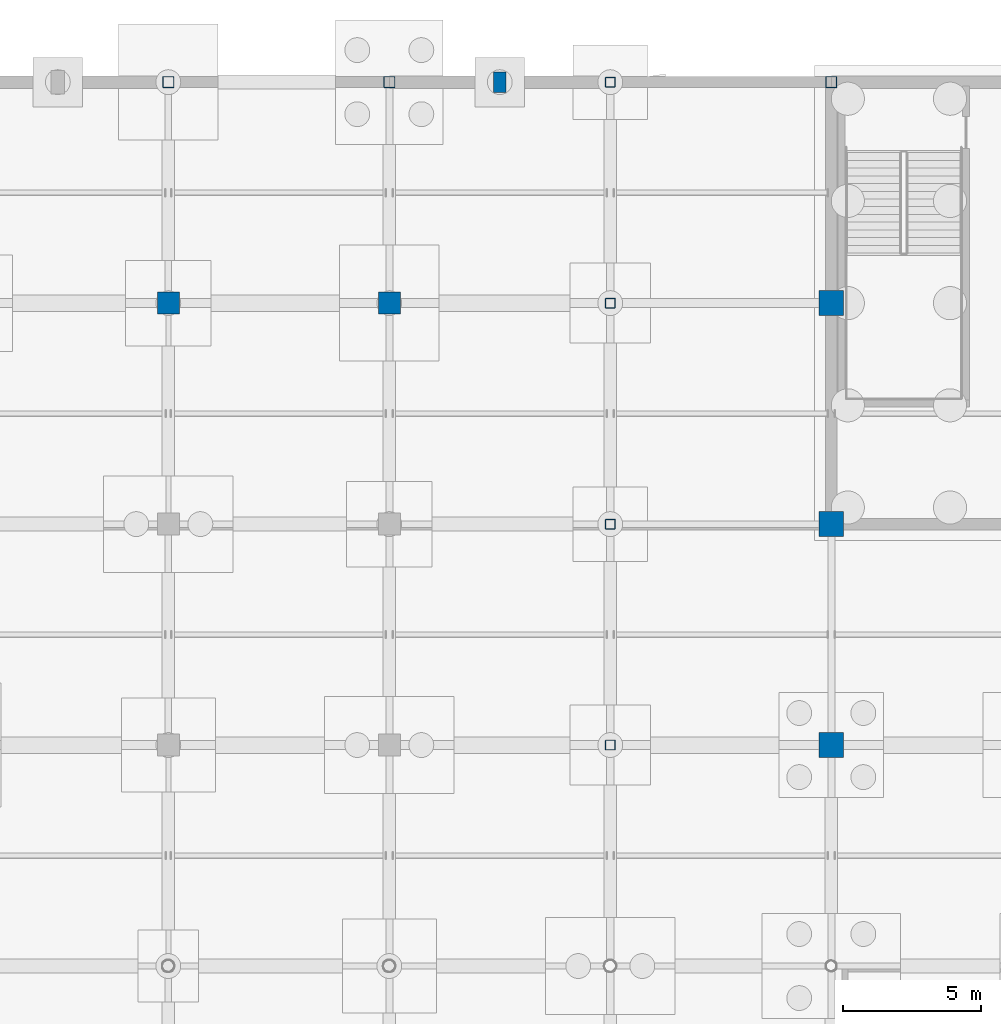
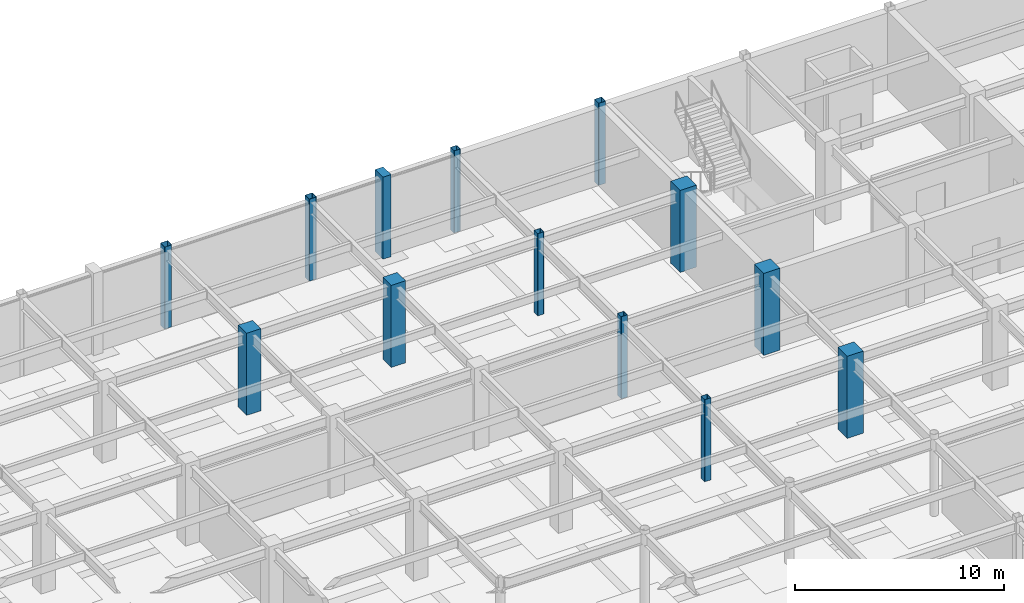
# One storey, part 34 of 105: 13 columns.
"""IFC4 building model written with IfcOpenShell, lengths in metres."""

from ifc_helpers import new_model, si_unit, direction, frame, origin, origin_2d, place, context, subcontext, project, spatial, rectangle, hollow_rectangle, extrude, material, material_profile, profile_set, type_object, element, save


model = new_model("IFC4")

# Units and contexts
model_context = context("Model", 3, precision=1e-05, world=origin(), true_north=direction((0.0, 1.0)))
body_context = subcontext(model_context, "Body", "Model", "MODEL_VIEW")
ifc_project = project(units=[si_unit("LENGTHUNIT", "METRE"), si_unit("AREAUNIT", "SQUARE_METRE"), si_unit("VOLUMEUNIT", "CUBIC_METRE"), si_unit("PLANEANGLEUNIT", "RADIAN"), si_unit("MASSUNIT", "GRAM", prefix="KILO")], contexts=[model_context])

# Site, building, storey
site_placement = place(None, origin())
site = spatial("IfcSite", under=ifc_project, at=site_placement, CompositionType="ELEMENT")
building_placement = place(site_placement, origin())
building = spatial("IfcBuilding", under=site, at=building_placement, Name="Solmirada Galleria", CompositionType="ELEMENT")
storey_placement = place(building_placement, frame((0.0, 0.0, -4.800048828125)))
storey = spatial("IfcBuildingStorey", under=building, at=storey_placement, Name="B1", CompositionType="ELEMENT", Elevation=-4.800048828125)

# Columns
ifc_material_1 = material(Name="Steel S355 / ASTM A500 Grade C", Category="steel")
ifc_material_profile_1 = material_profile(ifc_material_1, hollow_rectangle(XDim=0.35595703125, YDim=0.35595703125, WallThickness=0.01171875, InnerFilletRadius=0.01171875, OuterFilletRadius=0.023681640625, at=origin_2d()), Name="HSS14X14X1/2")
ifc_profile_set_1 = profile_set([ifc_material_profile_1], Name="Steel S355 / ASTM A500 Grade C")
column_type_1 = type_object("IfcColumnType", Name="COL-HSS14", PredefinedType="COLUMN", material=ifc_profile_set_1)
for number, where, z_axis, x_axis, name in (
    (1, (120.0, 96.0, 0.0), (0.0, 0.0, 1.0), (1.0, 0.0, 0.0), "Structural column B1-0983"),
    (2, (120.0, 104.0, 0.0), (0.0, 0.0, 1.0), (1.0, 0.0, 0.0), "Structural column B1-0988"),
    (3, (120.0, 112.0, 0.0), (0.0, 0.0, 1.0), (1.0, 0.0, 0.0), "Structural column B1-0993"),
    (4, (120.0, 120.0, 0.0), (0.0, 0.0, 1.0), (1.0, 0.0, 0.0), "Structural column B1-0998"),
):
    element("IfcColumn", number, at=place(storey_placement, frame(where, z_axis=z_axis, x_axis=x_axis)), inside=storey, type_object=column_type_1, Name=name, PredefinedType="COLUMN", context=body_context, shape_type="SweptSolid", body=[
        extrude(hollow_rectangle(XDim=0.35595703125, YDim=0.35595703125, WallThickness=0.01171875, InnerFilletRadius=0.01171875, OuterFilletRadius=0.023681640625, at=origin_2d()), origin(), (0.0, 0.0, 1.0), 4.800048828125),
    ])
ifc_material_profile_2 = material_profile(ifc_material_1, hollow_rectangle(XDim=0.406005859375, YDim=0.406005859375, WallThickness=0.0146484375, InnerFilletRadius=0.0146484375, OuterFilletRadius=0.029296875, at=origin_2d()), Name="HSS16X16X5/8")
ifc_profile_set_2 = profile_set([ifc_material_profile_2], Name="Steel S355 / ASTM A500 Grade C")
column_type_2 = type_object("IfcColumnType", Name="COL-HSS16", PredefinedType="COLUMN", material=ifc_profile_set_2)
for number, where, z_axis, x_axis, name in (
    (5, (104.0, 120.0, 0.0), (0.0, 0.0, 1.0), (1.0, 0.0, 0.0), "Structural column B1-0796"),
    (6, (112.0, 120.0, 0.0), (0.0, 0.0, 1.0), (1.0, 0.0, 0.0), "Structural column B1-0913"),
    (7, (128.0, 120.0, 0.0), (0.0, 0.0, 1.0), (1.0, 0.0, 0.0), "Structural column B1-1095"),
):
    element("IfcColumn", number, at=place(storey_placement, frame(where, z_axis=z_axis, x_axis=x_axis)), inside=storey, type_object=column_type_2, Name=name, PredefinedType="COLUMN", context=body_context, shape_type="SweptSolid", body=[
        extrude(hollow_rectangle(XDim=0.406005859375, YDim=0.406005859375, WallThickness=0.0146484375, InnerFilletRadius=0.0146484375, OuterFilletRadius=0.029296875, at=origin_2d()), origin(), (0.0, 0.0, 1.0), 4.800048828125),
    ])
ifc_material_2 = material(Name="Concrete C40/50", Category="concrete")
ifc_material_profile_3 = material_profile(ifc_material_2, rectangle(XDim=0.800048828125, YDim=0.800048828125, at=origin_2d()), Name="RC800X800")
ifc_profile_set_3 = profile_set([ifc_material_profile_3], Name="Concrete C40/50")
column_type_3 = type_object("IfcColumnType", Name="COL-RC800", PredefinedType="COLUMN", material=ifc_profile_set_3)
for number, where, z_axis, x_axis, name in (
    (8, (104.0, 112.0, 0.0), (0.0, 0.0, 1.0), (1.0, 0.0, 0.0), "Structural column B1-0789"),
    (9, (112.0, 112.0, 0.0), (0.0, 0.0, 1.0), (1.0, 0.0, 0.0), "Structural column B1-0906"),
):
    element("IfcColumn", number, at=place(storey_placement, frame(where, z_axis=z_axis, x_axis=x_axis)), inside=storey, type_object=column_type_3, Name=name, PredefinedType="COLUMN", context=body_context, shape_type="SweptSolid", body=[
        extrude(rectangle(XDim=0.800048828125, YDim=0.800048828125, at=origin_2d()), origin(), (0.0, 0.0, 1.0), 4.800048828125),
    ])
ifc_material_profile_4 = material_profile(ifc_material_2, rectangle(XDim=0.89990234375, YDim=0.89990234375, at=origin_2d()), Name="RC900X900")
ifc_profile_set_4 = profile_set([ifc_material_profile_4], Name="Concrete C40/50")
column_type_4 = type_object("IfcColumnType", Name="COL-RC900", PredefinedType="COLUMN", material=ifc_profile_set_4)
for number, where, z_axis, x_axis, name in (
    (10, (128.0, 96.0, 0.0), (0.0, 0.0, 1.0), (1.0, 0.0, 0.0), "Structural column B1-1068"),
    (11, (128.0, 104.0, 0.0), (0.0, 0.0, 1.0), (1.0, 0.0, 0.0), "Structural column B1-1077"),
    (12, (128.0, 112.0, 0.0), (0.0, 0.0, 1.0), (1.0, 0.0, 0.0), "Structural column B1-1086"),
):
    element("IfcColumn", number, at=place(storey_placement, frame(where, z_axis=z_axis, x_axis=x_axis)), inside=storey, type_object=column_type_4, Name=name, PredefinedType="COLUMN", context=body_context, shape_type="SweptSolid", body=[
        extrude(rectangle(XDim=0.89990234375, YDim=0.89990234375, at=origin_2d()), origin(), (0.0, 0.0, 1.0), 4.800048828125),
    ])
ifc_material_3 = material(Name="Precast concrete C40/50", Category="concrete")
ifc_material_profile_5 = material_profile(ifc_material_3, rectangle(XDim=0.449951171875, YDim=0.75, at=origin_2d()), Name="RC750X450")
ifc_profile_set_5 = profile_set([ifc_material_profile_5], Name="Precast concrete C40/50")
column_type_5 = type_object("IfcColumnType", Name="PIL-RC750", PredefinedType="PILASTER", material=ifc_profile_set_5)
column_placement = place(storey_placement, frame((116.0, 120.0, 0.0), z_axis=(0.0, 0.0, 1.0), x_axis=(1.0, 0.0, 0.0)))
element("IfcColumn", 13, at=column_placement, inside=storey, type_object=column_type_5, Name="Avenue pilaster B1-013", PredefinedType="PILASTER", context=body_context, shape_type="SweptSolid", body=[
    extrude(rectangle(XDim=0.449951171875, YDim=0.75, at=origin_2d()), origin(), (0.0, 0.0, 1.0), 4.800048828125),
])

save(model, "model.ifc")
